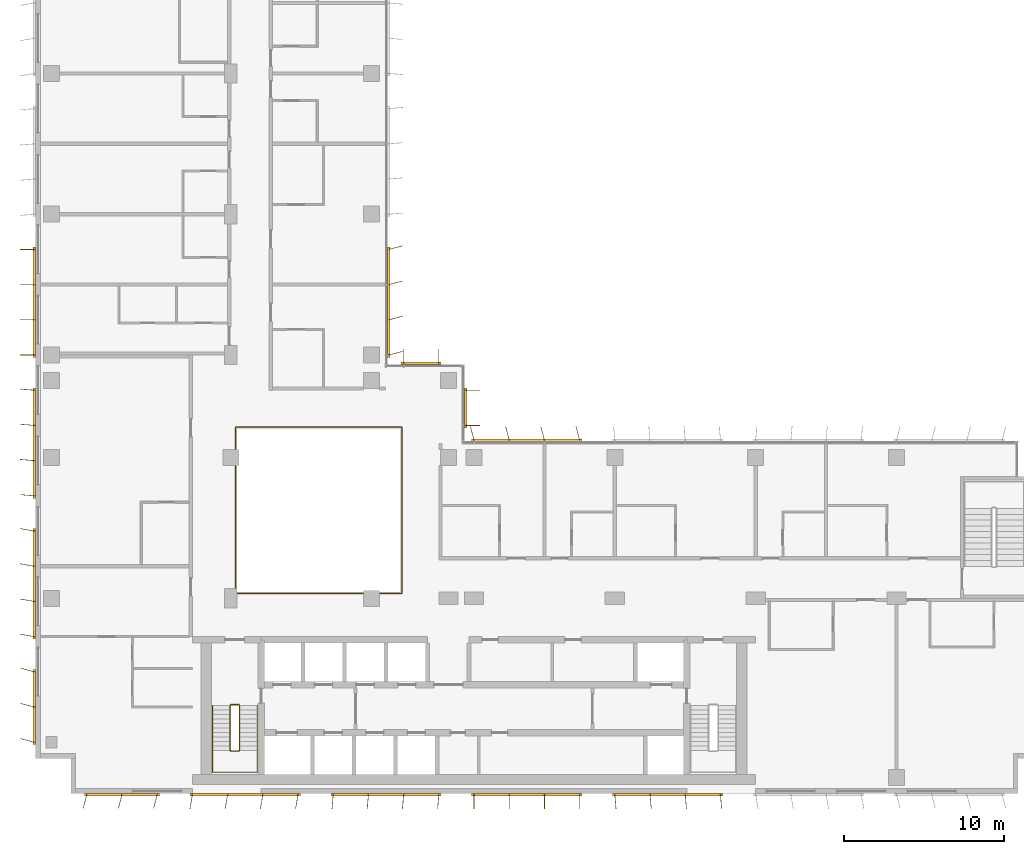
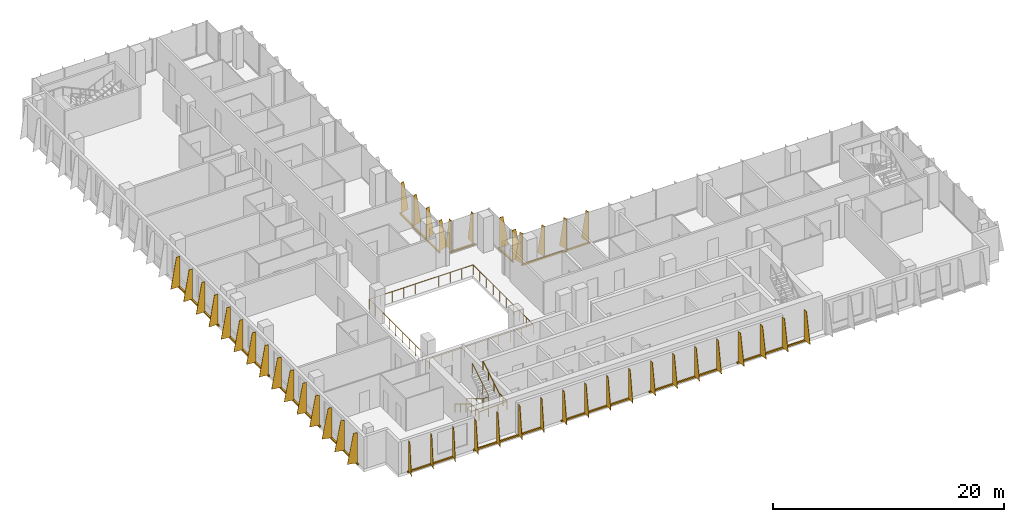
# One storey, part 19 of 21: 13 shading devices, 3 railings.
"""IFC4 building model written with IfcOpenShell, lengths in metres."""

from ifc_helpers import new_model, si_unit, direction, frame, origin, origin_2d, place, context, subcontext, project, spatial, polyline, rectangle, circle, outline, extrude, source, transform, mapped, material, layer, layer_set, type_object, element, save


model = new_model("IFC4")

# Units and contexts
model_context = context("Model", 3, precision=1e-05, world=origin(), true_north=direction((0.0, 1.0)))
body_context = subcontext(model_context, "Body", "Model", "MODEL_VIEW")
ifc_project = project(units=[si_unit("LENGTHUNIT", "METRE"), si_unit("AREAUNIT", "SQUARE_METRE"), si_unit("VOLUMEUNIT", "CUBIC_METRE"), si_unit("PLANEANGLEUNIT", "RADIAN"), si_unit("MASSUNIT", "GRAM", prefix="KILO")], contexts=[model_context])

# Site, building, storey
site_placement = place(None, origin())
site = spatial("IfcSite", under=ifc_project, at=site_placement, CompositionType="ELEMENT")
building_placement = place(site_placement, origin())
building = spatial("IfcBuilding", under=site, at=building_placement, Name="Kemantara Hotel Tower", CompositionType="ELEMENT")
storey_placement = place(building_placement, frame((0.0, 0.0, 160.5)))
storey = spatial("IfcBuildingStorey", under=building, at=storey_placement, Name="L39", CompositionType="ELEMENT", Elevation=160.5)

# Railings
ifc_material_1 = material(Name="Stainless steel and laminated glass balustrade", Category="steel")
railing_type_1 = type_object("IfcRailingType", Name="ATRIUM GUARD 1100", PredefinedType="GUARDRAIL", material=ifc_material_1)
railing_1_placement = place(storey_placement, frame((12.56005859375, 12.5, 0.0)))
element("IfcRailing", 1, at=railing_1_placement, inside=storey, type_object=railing_type_1, Name="ATRIUM GUARD L39", PredefinedType="GUARDRAIL", context=body_context, shape_type="SweptSolid", body=[
    extrude(circle(Radius=0.02490234375, at=origin_2d()), frame((0.0, 0.0, 1.0751953125), z_axis=(1.0, 0.0, 0.0), x_axis=(0.0, 1.0, 0.0)), (0.0, 0.0, 1.0), 10.33984375),
    extrude(circle(Radius=0.02490234375, at=origin_2d()), frame((10.33984375, 0.0, 1.0751953125), z_axis=(0.0, 1.0, 0.0), x_axis=(-1.0, 0.0, 0.0)), (0.0, 0.0, 1.0), 10.39990234375),
    extrude(circle(Radius=0.02490234375, at=origin_2d()), frame((10.33984375, 10.39990234375, 1.0751953125), z_axis=(-1.0, 0.0, 0.0), x_axis=(0.0, -1.0, 0.0)), (0.0, 0.0, 1.0), 10.39990234375),
    extrude(circle(Radius=0.02490234375, at=origin_2d()), frame((-0.06005859375, 10.39990234375, 1.0751953125), z_axis=(0.0, -1.0, 0.0), x_axis=(1.0, 0.0, 0.0)), (0.0, 0.0, 1.0), 10.39990234375),
    extrude(circle(Radius=0.02001953125, at=origin_2d()), origin(), (0.0, 0.0, 1.0), 1.050048828125),
    extrude(circle(Radius=0.02001953125, at=origin_2d()), frame((1.14892578125, 0.0, 0.0)), (0.0, 0.0, 1.0), 1.050048828125),
    extrude(circle(Radius=0.02001953125, at=origin_2d()), frame((2.2978515625, 0.0, 0.0)), (0.0, 0.0, 1.0), 1.050048828125),
    extrude(circle(Radius=0.02001953125, at=origin_2d()), frame((3.446533203125, 0.0, 0.0)), (0.0, 0.0, 1.0), 1.050048828125),
    extrude(circle(Radius=0.02001953125, at=origin_2d()), frame((4.595458984375, 0.0, 0.0)), (0.0, 0.0, 1.0), 1.050048828125),
    extrude(circle(Radius=0.02001953125, at=origin_2d()), frame((5.744384765625, 0.0, 0.0)), (0.0, 0.0, 1.0), 1.050048828125),
    extrude(circle(Radius=0.02001953125, at=origin_2d()), frame((6.893310546875, 0.0, 0.0)), (0.0, 0.0, 1.0), 1.050048828125),
    extrude(circle(Radius=0.02001953125, at=origin_2d()), frame((8.0419921875, 0.0, 0.0)), (0.0, 0.0, 1.0), 1.050048828125),
    extrude(circle(Radius=0.02001953125, at=origin_2d()), frame((9.19091796875, 0.0, 0.0)), (0.0, 0.0, 1.0), 1.050048828125),
    extrude(circle(Radius=0.02001953125, at=origin_2d()), frame((10.33984375, 0.0, 0.0)), (0.0, 0.0, 1.0), 1.050048828125),
    extrude(circle(Radius=0.02001953125, at=origin_2d()), frame((10.33984375, 1.155517578125, 0.0)), (0.0, 0.0, 1.0), 1.050048828125),
    extrude(circle(Radius=0.02001953125, at=origin_2d()), frame((10.33984375, 2.31103515625, 0.0)), (0.0, 0.0, 1.0), 1.050048828125),
    extrude(circle(Radius=0.02001953125, at=origin_2d()), frame((10.33984375, 3.466552734375, 0.0)), (0.0, 0.0, 1.0), 1.050048828125),
    extrude(circle(Radius=0.02001953125, at=origin_2d()), frame((10.33984375, 4.6220703125, 0.0)), (0.0, 0.0, 1.0), 1.050048828125),
    extrude(circle(Radius=0.02001953125, at=origin_2d()), frame((10.33984375, 5.77783203125, 0.0)), (0.0, 0.0, 1.0), 1.050048828125),
    extrude(circle(Radius=0.02001953125, at=origin_2d()), frame((10.33984375, 6.933349609375, 0.0)), (0.0, 0.0, 1.0), 1.050048828125),
    extrude(circle(Radius=0.02001953125, at=origin_2d()), frame((10.33984375, 8.0888671875, 0.0)), (0.0, 0.0, 1.0), 1.050048828125),
    extrude(circle(Radius=0.02001953125, at=origin_2d()), frame((10.33984375, 9.244384765625, 0.0)), (0.0, 0.0, 1.0), 1.050048828125),
    extrude(circle(Radius=0.02001953125, at=origin_2d()), frame((10.33984375, 10.39990234375, 0.0)), (0.0, 0.0, 1.0), 1.050048828125),
    extrude(circle(Radius=0.02001953125, at=origin_2d()), frame((9.184326171875, 10.39990234375, 0.0)), (0.0, 0.0, 1.0), 1.050048828125),
    extrude(circle(Radius=0.02001953125, at=origin_2d()), frame((8.02880859375, 10.39990234375, 0.0)), (0.0, 0.0, 1.0), 1.050048828125),
    extrude(circle(Radius=0.02001953125, at=origin_2d()), frame((6.873291015625, 10.39990234375, 0.0)), (0.0, 0.0, 1.0), 1.050048828125),
    extrude(circle(Radius=0.02001953125, at=origin_2d()), frame((5.7177734375, 10.39990234375, 0.0)), (0.0, 0.0, 1.0), 1.050048828125),
    extrude(circle(Radius=0.02001953125, at=origin_2d()), frame((4.56201171875, 10.39990234375, 0.0)), (0.0, 0.0, 1.0), 1.050048828125),
    extrude(circle(Radius=0.02001953125, at=origin_2d()), frame((3.406494140625, 10.39990234375, 0.0)), (0.0, 0.0, 1.0), 1.050048828125),
    extrude(circle(Radius=0.02001953125, at=origin_2d()), frame((2.2509765625, 10.39990234375, 0.0)), (0.0, 0.0, 1.0), 1.050048828125),
    extrude(circle(Radius=0.02001953125, at=origin_2d()), frame((1.095458984375, 10.39990234375, 0.0)), (0.0, 0.0, 1.0), 1.050048828125),
    extrude(circle(Radius=0.02001953125, at=origin_2d()), frame((-0.06005859375, 10.39990234375, 0.0)), (0.0, 0.0, 1.0), 1.050048828125),
    extrude(circle(Radius=0.02001953125, at=origin_2d()), frame((-0.06005859375, 9.244384765625, 0.0)), (0.0, 0.0, 1.0), 1.050048828125),
    extrude(circle(Radius=0.02001953125, at=origin_2d()), frame((-0.06005859375, 8.0888671875, 0.0)), (0.0, 0.0, 1.0), 1.050048828125),
    extrude(circle(Radius=0.02001953125, at=origin_2d()), frame((-0.06005859375, 6.933349609375, 0.0)), (0.0, 0.0, 1.0), 1.050048828125),
    extrude(circle(Radius=0.02001953125, at=origin_2d()), frame((-0.06005859375, 5.77783203125, 0.0)), (0.0, 0.0, 1.0), 1.050048828125),
    extrude(circle(Radius=0.02001953125, at=origin_2d()), frame((-0.06005859375, 4.6220703125, 0.0)), (0.0, 0.0, 1.0), 1.050048828125),
    extrude(circle(Radius=0.02001953125, at=origin_2d()), frame((-0.06005859375, 3.466552734375, 0.0)), (0.0, 0.0, 1.0), 1.050048828125),
    extrude(circle(Radius=0.02001953125, at=origin_2d()), frame((-0.06005859375, 2.31103515625, 0.0)), (0.0, 0.0, 1.0), 1.050048828125),
    extrude(circle(Radius=0.02001953125, at=origin_2d()), frame((-0.06005859375, 1.155517578125, 0.0)), (0.0, 0.0, 1.0), 1.050048828125),
    extrude(circle(Radius=0.02001953125, at=origin_2d()), frame((-0.06005859375, 0.0, 0.0)), (0.0, 0.0, 1.0), 1.050048828125),
])
ifc_material_2 = material(Name="Stainless steel balustrade", Category="steel")
railing_type_2 = type_object("IfcRailingType", Name="Stair guard 1100 mm", PredefinedType="GUARDRAIL", material=ifc_material_2)
railing_2_placement = place(storey_placement, frame((12.75, 5.5, 3.699951171875)))
element("IfcRailing", 2, at=railing_2_placement, inside=storey, type_object=railing_type_2, Name="L39 ST1 stair guard 1", PredefinedType="GUARDRAIL", context=body_context, shape_type="SweptSolid", body=[
    extrude(circle(Radius=0.02392578125, at=origin_2d()), frame((0.0, 0.0, 1.076171875), z_axis=(0.0, -0.857242210791, -0.514913383045), x_axis=(1.0, 0.0, 0.0)), (0.0, 0.0, 1.0), 3.266357421875),
    extrude(circle(Radius=0.02392578125, at=origin_2d()), frame((0.0, -2.800048828125, -0.60595703125), z_axis=(-0.274582412415, -0.274582412415, -0.921525364591), x_axis=(0.707106781187, -0.707106781187, 0.0)), (0.0, 0.0, 1.0), 0.182373046875),
    extrude(circle(Radius=0.02392578125, at=origin_2d()), frame((-0.050048828125, -2.85009765625, -0.77392578125), z_axis=(-1.0, 0.0, 0.0), x_axis=(0.0, -1.0, 0.0)), (0.0, 0.0, 1.0), 0.5),
    extrude(circle(Radius=0.02392578125, at=origin_2d()), frame((-0.550048828125, -2.85009765625, -0.77392578125), z_axis=(-0.707106781187, 0.707106781187, 0.0), x_axis=(-0.707106781187, -0.707106781187, 0.0)), (0.0, 0.0, 1.0), 0.07080078125),
    extrude(circle(Radius=0.02392578125, at=origin_2d()), frame((-0.60009765625, -2.800048828125, -0.77392578125), z_axis=(0.0, 0.857242210791, -0.514913383045), x_axis=(-1.0, 0.0, 0.0)), (0.0, 0.0, 1.0), 3.266357421875),
    extrude(circle(Radius=0.02392578125, at=origin_2d()), frame((-0.60009765625, 0.0, -2.45556640625), z_axis=(0.274243871929, 0.274243871929, -0.92172696468), x_axis=(-0.707106781187, 0.707106781187, 0.0)), (0.0, 0.0, 1.0), 0.1826171875),
    extrude(circle(Radius=0.02392578125, at=origin_2d()), frame((-0.550048828125, 0.050048828125, -2.6240234375), z_axis=(1.0, 0.0, 0.0), x_axis=(0.0, 1.0, 0.0)), (0.0, 0.0, 1.0), 0.5),
    extrude(circle(Radius=0.02099609375, at=origin_2d()), origin(), (0.0, 0.0, 1.0), 1.052001953125),
    extrude(circle(Radius=0.02099609375, at=origin_2d()), frame((0.0, -0.933349609375, -0.560546875)), (0.0, 0.0, 1.0), 1.052001953125),
    extrude(circle(Radius=0.02099609375, at=origin_2d()), frame((0.0, -1.86669921875, -1.121337890625)), (0.0, 0.0, 1.0), 1.052001953125),
    extrude(circle(Radius=0.02099609375, at=origin_2d()), frame((0.0, -2.800048828125, -1.681884765625)), (0.0, 0.0, 1.0), 1.052001953125),
    extrude(circle(Radius=0.02099609375, at=origin_2d()), frame((-0.050048828125, -2.85009765625, -1.849853515625)), (0.0, 0.0, 1.0), 1.052001953125),
    extrude(circle(Radius=0.02099609375, at=origin_2d()), frame((-0.550048828125, -2.85009765625, -1.849853515625)), (0.0, 0.0, 1.0), 1.052001953125),
    extrude(circle(Radius=0.02099609375, at=origin_2d()), frame((-0.60009765625, -2.800048828125, -1.849853515625)), (0.0, 0.0, 1.0), 1.052001953125),
    extrude(circle(Radius=0.02099609375, at=origin_2d()), frame((-0.60009765625, -1.86669921875, -2.410400390625)), (0.0, 0.0, 1.0), 1.052001953125),
    extrude(circle(Radius=0.02099609375, at=origin_2d()), frame((-0.60009765625, -0.933349609375, -2.97119140625)), (0.0, 0.0, 1.0), 1.052001953125),
    extrude(circle(Radius=0.02099609375, at=origin_2d()), frame((-0.60009765625, 0.0, -3.53173828125)), (0.0, 0.0, 1.0), 1.052001953125),
    extrude(circle(Radius=0.02099609375, at=origin_2d()), frame((-0.550048828125, 0.050048828125, -3.699951171875)), (0.0, 0.0, 1.0), 1.052001953125),
    extrude(circle(Radius=0.02099609375, at=origin_2d()), frame((-0.050048828125, 0.050048828125, -3.699951171875)), (0.0, 0.0, 1.0), 1.052001953125),
])
railing_type_3 = type_object("IfcRailingType", Name="Stair handrail 900 mm", PredefinedType="HANDRAIL", material=ifc_material_2)
railing_3_placement = place(storey_placement, frame((11.050048828125, 5.5, 0.168212890625)))
element("IfcRailing", 3, at=railing_3_placement, inside=storey, type_object=railing_type_3, Name="L39 ST1 stair handrail 1", PredefinedType="HANDRAIL", context=body_context, shape_type="SweptSolid", body=[
    extrude(circle(Radius=0.02392578125, at=origin_2d()), frame((0.0, 0.0, 0.8759765625), z_axis=(0.0, -0.857242210791, 0.514913383045), x_axis=(1.0, 0.0, 0.0)), (0.0, 0.0, 1.0), 3.266357421875),
    extrude(circle(Radius=0.02392578125, at=origin_2d()), frame((0.0, -2.800048828125, 2.5576171875), z_axis=(0.0, -1.0, 0.0), x_axis=(1.0, 0.0, 0.0)), (0.0, 0.0, 1.0), 1.3798828125),
    extrude(circle(Radius=0.02392578125, at=origin_2d()), frame((0.0, -4.179931640625, 2.5576171875), z_axis=(0.998205573864, 0.0, 0.059880149518), x_axis=(0.0, 1.0, 0.0)), (0.0, 0.0, 1.0), 2.80517578125),
    extrude(circle(Radius=0.02392578125, at=origin_2d()), frame((2.800048828125, -4.179931640625, 2.7255859375), z_axis=(0.0, 1.0, 0.0), x_axis=(-1.0, 0.0, 0.0)), (0.0, 0.0, 1.0), 1.3798828125),
    extrude(circle(Radius=0.02392578125, at=origin_2d()), frame((2.800048828125, -2.800048828125, 2.7255859375), z_axis=(0.0, 0.857242210791, 0.514913383045), x_axis=(-1.0, 0.0, 0.0)), (0.0, 0.0, 1.0), 3.266357421875),
    extrude(circle(Radius=0.02099609375, at=origin_2d()), origin(), (0.0, 0.0, 1.0), 0.851806640625),
    extrude(circle(Radius=0.02099609375, at=origin_2d()), frame((0.0, -0.933349609375, 0.560546875)), (0.0, 0.0, 1.0), 0.851806640625),
    extrude(circle(Radius=0.02099609375, at=origin_2d()), frame((0.0, -1.86669921875, 1.121337890625)), (0.0, 0.0, 1.0), 0.851806640625),
    extrude(circle(Radius=0.02099609375, at=origin_2d()), frame((0.0, -2.800048828125, 1.681884765625)), (0.0, 0.0, 1.0), 0.851806640625),
    extrude(circle(Radius=0.02099609375, at=origin_2d()), frame((0.0, -3.489990234375, 1.681884765625)), (0.0, 0.0, 1.0), 0.851806640625),
    extrude(circle(Radius=0.02099609375, at=origin_2d()), frame((0.0, -4.179931640625, 1.681884765625)), (0.0, 0.0, 1.0), 0.851806640625),
    extrude(circle(Radius=0.02099609375, at=origin_2d()), frame((0.933349609375, -4.179931640625, 1.73779296875)), (0.0, 0.0, 1.0), 0.851806640625),
    extrude(circle(Radius=0.02099609375, at=origin_2d()), frame((1.86669921875, -4.179931640625, 1.7939453125)), (0.0, 0.0, 1.0), 0.851806640625),
    extrude(circle(Radius=0.02099609375, at=origin_2d()), frame((2.800048828125, -4.179931640625, 1.849853515625)), (0.0, 0.0, 1.0), 0.851806640625),
    extrude(circle(Radius=0.02099609375, at=origin_2d()), frame((2.800048828125, -3.489990234375, 1.849853515625)), (0.0, 0.0, 1.0), 0.851806640625),
    extrude(circle(Radius=0.02099609375, at=origin_2d()), frame((2.800048828125, -2.800048828125, 1.849853515625)), (0.0, 0.0, 1.0), 0.851806640625),
    extrude(circle(Radius=0.02099609375, at=origin_2d()), frame((2.800048828125, -1.86669921875, 2.410400390625)), (0.0, 0.0, 1.0), 0.851806640625),
    extrude(circle(Radius=0.02099609375, at=origin_2d()), frame((2.800048828125, -0.933349609375, 2.97119140625)), (0.0, 0.0, 1.0), 0.851806640625),
    extrude(circle(Radius=0.02099609375, at=origin_2d()), frame((2.800048828125, 0.0, 3.53173828125)), (0.0, 0.0, 1.0), 0.851806640625),
])

# Shading devices
ifc_material_3 = material(Name="Perforated aluminium plate 4 mm bronze anodised", Category="aluminium")
ifc_layer_1 = layer(ifc_material_3, 0.0400390625)
ifc_layer_set_1 = layer_set([ifc_layer_1], Name="Perforated aluminium plate 4 mm bronze anodised")
shading_device_type_1 = type_object("IfcShadingDeviceType", Name="SCREEN FIN CASSETTE, 3 BLADES AT -15.0 DEG, 3200 HIGH", PredefinedType="USERDEFINED", material=ifc_layer_set_1)
shared_shape_1 = source(origin(), body_context, "Body", "SweptSolid", [
    extrude(rectangle(XDim=4.699951171875, YDim=0.14990234375, at=origin_2d()), frame((2.199951171875, -0.074951171875, -0.14990234375), z_axis=(0.0, 0.0, 1.0), x_axis=(1.0, 0.0, 0.0)), (0.0, 0.0, 1.0), 0.14990234375),
    extrude(outline(polyline([(0.0, 0.0), (0.89990234375, 0.0), (0.35009765625, 3.199951171875), (0.0, 3.199951171875), (0.0, 0.0)])), frame((0.019287109375, -0.080078125, 0.0), z_axis=(-0.966437683387, 0.256901156343, 0.0), x_axis=(-0.256901156343, -0.966437683387, 0.0)), (0.0, 0.0, 1.0), 0.039794921875),
    extrude(outline(polyline([(0.0, 0.0), (0.89990234375, 0.0), (0.35009765625, 3.199951171875), (0.0, 3.199951171875), (0.0, 0.0)])), frame((2.21923828125, -0.080078125, 0.0), z_axis=(-0.966437683387, 0.256901156343, 0.0), x_axis=(-0.256901156343, -0.966437683387, 0.0)), (0.0, 0.0, 1.0), 0.039794921875),
    extrude(outline(polyline([(0.0, 0.0), (0.89990234375, 0.0), (0.35009765625, 3.199951171875), (0.0, 3.199951171875), (0.0, 0.0)])), frame((4.41943359375, -0.080078125, 0.0), z_axis=(-0.966837822169, 0.255391122837, 0.0), x_axis=(-0.255391122837, -0.966837822169, 0.0)), (0.0, 0.0, 1.0), 0.0400390625),
])
for number, where, z_axis, x_axis, name in (
    (4, (0.0, 7.60009765625, 0.10009765625), (0.0, 0.0, 1.0), (0.0, -1.0, 0.0), "SCREEN FIN CASSETTE L39 T3-R05-7"),
    (5, (3.199951171875, 0.0, 0.10009765625), (0.0, 0.0, 1.0), (1.0, 0.0, 0.0), "SCREEN FIN CASSETTE L39 T3-R08-1"),
):
    element("IfcShadingDevice", number, at=place(storey_placement, frame(where, z_axis=z_axis, x_axis=x_axis)), inside=storey, type_object=shading_device_type_1, Name=name, ObjectType="SCREEN FIN", PredefinedType="USERDEFINED", context=body_context, shape_type="MappedRepresentation", body=[
        mapped(shared_shape_1, transform((0.0, 0.0, 0.0))),
    ])
ifc_layer_2 = layer(ifc_material_3, 0.0400390625)
ifc_layer_set_2 = layer_set([ifc_layer_2], Name="Perforated aluminium plate 4 mm bronze anodised")
shading_device_type_2 = type_object("IfcShadingDeviceType", Name="SCREEN FIN CASSETTE, 4 BLADES AT -10.0 DEG, 3200 HIGH", PredefinedType="USERDEFINED", material=ifc_layer_set_2)
shared_shape_2 = source(origin(), body_context, "Body", "SweptSolid", [
    extrude(rectangle(XDim=6.89990234375, YDim=0.14990234375, at=origin_2d()), frame((3.300048828125, -0.074951171875, -0.14990234375), z_axis=(0.0, 0.0, 1.0), x_axis=(1.0, 0.0, 0.0)), (0.0, 0.0, 1.0), 0.14990234375),
    extrude(outline(polyline([(0.0, 0.0), (0.89990234375, 0.0), (0.35009765625, 3.199951171875), (0.0, 3.199951171875), (0.0, 0.0)])), frame((0.019775390625, -0.078369140625, 0.0), z_axis=(-0.985389793052, 0.170314285219, 0.0), x_axis=(-0.170314285219, -0.985389793052, 0.0)), (0.0, 0.0, 1.0), 0.0400390625),
    extrude(outline(polyline([(0.0, 0.0), (0.89990234375, 0.0), (0.35009765625, 3.199951171875), (0.0, 3.199951171875), (0.0, 0.0)])), frame((2.2197265625, -0.078369140625, 0.0), z_axis=(-0.98521175482, 0.171341174751, 0.0), x_axis=(-0.171341174751, -0.98521175482, 0.0)), (0.0, 0.0, 1.0), 0.039794921875),
    extrude(outline(polyline([(0.0, 0.0), (0.89990234375, 0.0), (0.35009765625, 3.199951171875), (0.0, 3.199951171875), (0.0, 0.0)])), frame((4.419677734375, -0.078369140625, 0.0), z_axis=(-0.98521175482, 0.171341174751, 0.0), x_axis=(-0.171341174751, -0.98521175482, 0.0)), (0.0, 0.0, 1.0), 0.039794921875),
    extrude(outline(polyline([(0.0, 0.0), (0.89990234375, 0.0), (0.35009765625, 3.199951171875), (0.0, 3.199951171875), (0.0, 0.0)])), frame((6.61962890625, -0.078369140625, 0.0), z_axis=(-0.98521175482, 0.171341174751, 0.0), x_axis=(-0.171341174751, -0.98521175482, 0.0)), (0.0, 0.0, 1.0), 0.039794921875),
])
for number, where, z_axis, x_axis, name in (
    (6, (0.0, 16.39990234375, 0.10009765625), (0.0, 0.0, 1.0), (0.0, -1.0, 0.0), "SCREEN FIN CASSETTE L39 T3-R05-6"),
    (7, (9.800048828125, 0.0, 0.10009765625), (0.0, 0.0, 1.0), (1.0, 0.0, 0.0), "SCREEN FIN CASSETTE L39 T3-R08-2"),
):
    element("IfcShadingDevice", number, at=place(storey_placement, frame(where, z_axis=z_axis, x_axis=x_axis)), inside=storey, type_object=shading_device_type_2, Name=name, ObjectType="SCREEN FIN", PredefinedType="USERDEFINED", context=body_context, shape_type="MappedRepresentation", body=[
        mapped(shared_shape_2, transform((0.0, 0.0, 0.0))),
    ])
ifc_layer_3 = layer(ifc_material_3, 0.0400390625)
ifc_layer_set_3 = layer_set([ifc_layer_3], Name="Perforated aluminium plate 4 mm bronze anodised")
shading_device_type_3 = type_object("IfcShadingDeviceType", Name="SCREEN FIN CASSETTE, 4 BLADES AT -5.0 DEG, 3200 HIGH", PredefinedType="USERDEFINED", material=ifc_layer_set_3)
shared_shape_3 = source(origin(), body_context, "Body", "SweptSolid", [
    extrude(rectangle(XDim=6.89990234375, YDim=0.14990234375, at=origin_2d()), frame((3.300048828125, -0.074951171875, -0.14990234375), z_axis=(0.0, 0.0, 1.0), x_axis=(1.0, 0.0, 0.0)), (0.0, 0.0, 1.0), 0.14990234375),
    extrude(outline(polyline([(0.0, 0.0), (0.89990234375, 0.0), (0.35009765625, 3.199951171875), (0.0, 3.199951171875), (0.0, 0.0)])), frame((0.02001953125, -0.07666015625, 0.0), z_axis=(-0.996376129781, 0.085056498884, 0.0), x_axis=(-0.085056498884, -0.996376129781, 0.0)), (0.0, 0.0, 1.0), 0.040283203125),
    extrude(outline(polyline([(0.0, 0.0), (0.89990234375, 0.0), (0.35009765625, 3.199951171875), (0.0, 3.199951171875), (0.0, 0.0)])), frame((2.219970703125, -0.07666015625, 0.0), z_axis=(-0.996331773833, 0.085574508182, 0.0), x_axis=(-0.085574508182, -0.996331773833, 0.0)), (0.0, 0.0, 1.0), 0.0400390625),
    extrude(outline(polyline([(0.0, 0.0), (0.89990234375, 0.0), (0.35009765625, 3.199951171875), (0.0, 3.199951171875), (0.0, 0.0)])), frame((4.419921875, -0.07666015625, 0.0), z_axis=(-0.996331773833, 0.085574508182, 0.0), x_axis=(-0.085574508182, -0.996331773833, 0.0)), (0.0, 0.0, 1.0), 0.0400390625),
    extrude(outline(polyline([(0.0, 0.0), (0.89990234375, 0.0), (0.35009765625, 3.199951171875), (0.0, 3.199951171875), (0.0, 0.0)])), frame((6.619873046875, -0.07666015625, 0.0), z_axis=(-0.996331773833, 0.085574508182, 0.0), x_axis=(-0.085574508182, -0.996331773833, 0.0)), (0.0, 0.0, 1.0), 0.0400390625),
])
for number, where, z_axis, x_axis, name in (
    (8, (0.0, 25.199951171875, 0.10009765625), (0.0, 0.0, 1.0), (0.0, -1.0, 0.0), "SCREEN FIN CASSETTE L39 T3-R05-5"),
    (9, (18.60009765625, 0.0, 0.10009765625), (0.0, 0.0, 1.0), (1.0, 0.0, 0.0), "SCREEN FIN CASSETTE L39 T3-R08-3"),
):
    element("IfcShadingDevice", number, at=place(storey_placement, frame(where, z_axis=z_axis, x_axis=x_axis)), inside=storey, type_object=shading_device_type_3, Name=name, ObjectType="SCREEN FIN", PredefinedType="USERDEFINED", context=body_context, shape_type="MappedRepresentation", body=[
        mapped(shared_shape_3, transform((0.0, 0.0, 0.0))),
    ])
ifc_layer_4 = layer(ifc_material_3, 0.0400390625)
ifc_layer_set_4 = layer_set([ifc_layer_4], Name="Perforated aluminium plate 4 mm bronze anodised")
shading_device_type_4 = type_object("IfcShadingDeviceType", Name="SCREEN FIN CASSETTE, 4 BLADES AT +0.0 DEG, 3200 HIGH", PredefinedType="USERDEFINED", material=ifc_layer_set_4)
shared_shape_4 = source(origin(), body_context, "Body", "SweptSolid", [
    extrude(rectangle(XDim=6.89990234375, YDim=0.14990234375, at=origin_2d()), frame((3.300048828125, -0.074951171875, -0.14990234375), z_axis=(0.0, 0.0, 1.0), x_axis=(1.0, 0.0, 0.0)), (0.0, 0.0, 1.0), 0.14990234375),
    extrude(outline(polyline([(0.0, 0.0), (0.89990234375, 0.0), (0.35009765625, 3.199951171875), (0.0, 3.199951171875), (0.0, 0.0)])), frame((0.02001953125, -0.074951171875, 0.0), z_axis=(-1.0, 0.0, 0.0), x_axis=(0.0, -1.0, 0.0)), (0.0, 0.0, 1.0), 0.0400390625),
    extrude(outline(polyline([(0.0, 0.0), (0.89990234375, 0.0), (0.35009765625, 3.199951171875), (0.0, 3.199951171875), (0.0, 0.0)])), frame((2.219970703125, -0.074951171875, 0.0), z_axis=(-1.0, 0.0, 0.0), x_axis=(0.0, -1.0, 0.0)), (0.0, 0.0, 1.0), 0.0400390625),
    extrude(outline(polyline([(0.0, 0.0), (0.89990234375, 0.0), (0.35009765625, 3.199951171875), (0.0, 3.199951171875), (0.0, 0.0)])), frame((4.419921875, -0.074951171875, 0.0), z_axis=(-1.0, 0.0, 0.0), x_axis=(0.0, -1.0, 0.0)), (0.0, 0.0, 1.0), 0.0400390625),
    extrude(outline(polyline([(0.0, 0.0), (0.89990234375, 0.0), (0.35009765625, 3.199951171875), (0.0, 3.199951171875), (0.0, 0.0)])), frame((6.6201171875, -0.074951171875, 0.0), z_axis=(-1.0, 0.0, 0.0), x_axis=(0.0, -1.0, 0.0)), (0.0, 0.0, 1.0), 0.0400390625),
])
for number, where, z_axis, x_axis, name in (
    (10, (0.0, 34.0, 0.10009765625), (0.0, 0.0, 1.0), (0.0, -1.0, 0.0), "SCREEN FIN CASSETTE L39 T3-R05-4"),
    (11, (27.39990234375, 0.0, 0.10009765625), (0.0, 0.0, 1.0), (1.0, 0.0, 0.0), "SCREEN FIN CASSETTE L39 T3-R08-4"),
):
    element("IfcShadingDevice", number, at=place(storey_placement, frame(where, z_axis=z_axis, x_axis=x_axis)), inside=storey, type_object=shading_device_type_4, Name=name, ObjectType="SCREEN FIN", PredefinedType="USERDEFINED", context=body_context, shape_type="MappedRepresentation", body=[
        mapped(shared_shape_4, transform((0.0, 0.0, 0.0))),
    ])
ifc_layer_5 = layer(ifc_material_3, 0.0400390625)
ifc_layer_set_5 = layer_set([ifc_layer_5], Name="Perforated aluminium plate 4 mm bronze anodised")
shading_device_type_5 = type_object("IfcShadingDeviceType", Name="SCREEN FIN CASSETTE, 4 BLADES AT +5.0 DEG, 3200 HIGH", PredefinedType="USERDEFINED", material=ifc_layer_set_5)
shared_shape_5 = source(origin(), body_context, "Body", "SweptSolid", [
    extrude(rectangle(XDim=6.89990234375, YDim=0.14990234375, at=origin_2d()), frame((3.300048828125, -0.074951171875, -0.14990234375), z_axis=(0.0, 0.0, 1.0), x_axis=(1.0, 0.0, 0.0)), (0.0, 0.0, 1.0), 0.14990234375),
    extrude(outline(polyline([(0.0, 0.0), (0.89990234375, 0.0), (0.35009765625, 3.199951171875), (0.0, 3.199951171875), (0.0, 0.0)])), frame((0.02001953125, -0.0732421875, 0.0), z_axis=(-0.996376129781, -0.085056498884, 0.0), x_axis=(0.085056498884, -0.996376129781, 0.0)), (0.0, 0.0, 1.0), 0.040283203125),
    extrude(outline(polyline([(0.0, 0.0), (0.89990234375, 0.0), (0.35009765625, 3.199951171875), (0.0, 3.199951171875), (0.0, 0.0)])), frame((2.219970703125, -0.0732421875, 0.0), z_axis=(-0.996331773833, -0.085574508182, 0.0), x_axis=(0.085574508182, -0.996331773833, 0.0)), (0.0, 0.0, 1.0), 0.0400390625),
    extrude(outline(polyline([(0.0, 0.0), (0.89990234375, 0.0), (0.35009765625, 3.199951171875), (0.0, 3.199951171875), (0.0, 0.0)])), frame((4.419921875, -0.0732421875, 0.0), z_axis=(-0.996331773833, -0.085574508182, 0.0), x_axis=(0.085574508182, -0.996331773833, 0.0)), (0.0, 0.0, 1.0), 0.0400390625),
    extrude(outline(polyline([(0.0, 0.0), (0.89990234375, 0.0), (0.35009765625, 3.199951171875), (0.0, 3.199951171875), (0.0, 0.0)])), frame((6.619873046875, -0.0732421875, 0.0), z_axis=(-0.996331773833, -0.085574508182, 0.0), x_axis=(0.085574508182, -0.996331773833, 0.0)), (0.0, 0.0, 1.0), 0.0400390625),
])
shading_device_placement = place(storey_placement, frame((36.199951171875, 0.0, 0.10009765625), z_axis=(0.0, 0.0, 1.0), x_axis=(1.0, 0.0, 0.0)))
element("IfcShadingDevice", 12, at=shading_device_placement, inside=storey, type_object=shading_device_type_5, Name="SCREEN FIN CASSETTE L39 T3-R08-5", ObjectType="SCREEN FIN", PredefinedType="USERDEFINED", context=body_context, shape_type="MappedRepresentation", body=[
    mapped(shared_shape_5, transform((0.0, 0.0, 0.0))),
])
ifc_layer_6 = layer(ifc_material_3, 0.0400390625)
ifc_layer_set_6 = layer_set([ifc_layer_6], Name="Perforated aluminium plate 4 mm bronze anodised")
shading_device_type_6 = type_object("IfcShadingDeviceType", Name="SCREEN FIN CASSETTE, 4 BLADES AT +15.0 DEG, 3200 HIGH", PredefinedType="USERDEFINED", material=ifc_layer_set_6)
shared_shape_6 = source(origin(), body_context, "Body", "SweptSolid", [
    extrude(rectangle(XDim=6.89990234375, YDim=0.14990234375, at=origin_2d()), frame((3.300048828125, -0.074951171875, -0.14990234375), z_axis=(0.0, 0.0, 1.0), x_axis=(1.0, 0.0, 0.0)), (0.0, 0.0, 1.0), 0.14990234375),
    extrude(outline(polyline([(0.0, 0.0), (0.89990234375, 0.0), (0.35009765625, 3.199951171875), (0.0, 3.199951171875), (0.0, 0.0)])), frame((0.019287109375, -0.06982421875, 0.0), z_axis=(-0.966437683387, -0.256901156343, 0.0), x_axis=(0.256901156343, -0.966437683387, 0.0)), (0.0, 0.0, 1.0), 0.039794921875),
    extrude(outline(polyline([(0.0, 0.0), (0.89990234375, 0.0), (0.35009765625, 3.199951171875), (0.0, 3.199951171875), (0.0, 0.0)])), frame((2.21923828125, -0.06982421875, 0.0), z_axis=(-0.966437683387, -0.256901156343, 0.0), x_axis=(0.256901156343, -0.966437683387, 0.0)), (0.0, 0.0, 1.0), 0.039794921875),
    extrude(outline(polyline([(0.0, 0.0), (0.89990234375, 0.0), (0.35009765625, 3.199951171875), (0.0, 3.199951171875), (0.0, 0.0)])), frame((4.41943359375, -0.06982421875, 0.0), z_axis=(-0.966837822169, -0.255391122837, 0.0), x_axis=(0.255391122837, -0.966837822169, 0.0)), (0.0, 0.0, 1.0), 0.0400390625),
    extrude(outline(polyline([(0.0, 0.0), (0.89990234375, 0.0), (0.35009765625, 3.199951171875), (0.0, 3.199951171875), (0.0, 0.0)])), frame((6.619384765625, -0.06982421875, 0.0), z_axis=(-0.966837822169, -0.255391122837, 0.0), x_axis=(0.255391122837, -0.966837822169, 0.0)), (0.0, 0.0, 1.0), 0.0400390625),
])
for number, where, z_axis, x_axis, name in (
    (13, (34.0, 22.0, 0.10009765625), (0.0, 0.0, 1.0), (-1.0, 0.0, 0.0), "SCREEN FIN CASSETTE L39 T3-R14-4"),
    (14, (22.0, 27.39990234375, 0.10009765625), (0.0, 0.0, 1.0), (0.0, 1.0, 0.0), "SCREEN FIN CASSETTE L39 T3-R17-1"),
):
    element("IfcShadingDevice", number, at=place(storey_placement, frame(where, z_axis=z_axis, x_axis=x_axis)), inside=storey, type_object=shading_device_type_6, Name=name, ObjectType="SCREEN FIN", PredefinedType="USERDEFINED", context=body_context, shape_type="MappedRepresentation", body=[
        mapped(shared_shape_6, transform((0.0, 0.0, 0.0))),
    ])
ifc_layer_7 = layer(ifc_material_3, 0.0400390625)
ifc_layer_set_7 = layer_set([ifc_layer_7], Name="Perforated aluminium plate 4 mm bronze anodised")
shading_device_type_7 = type_object("IfcShadingDeviceType", Name="SCREEN FIN CASSETTE, 2 BLADES AT +0.0 DEG, 3200 HIGH", PredefinedType="USERDEFINED", material=ifc_layer_set_7)
shared_shape_7 = source(origin(), body_context, "Body", "SweptSolid", [
    extrude(rectangle(XDim=2.5, YDim=0.14990234375, at=origin_2d()), frame((1.10009765625, -0.074951171875, -0.14990234375), z_axis=(0.0, 0.0, 1.0), x_axis=(1.0, 0.0, 0.0)), (0.0, 0.0, 1.0), 0.14990234375),
    extrude(outline(polyline([(0.0, 0.0), (0.89990234375, 0.0), (0.35009765625, 3.199951171875), (0.0, 3.199951171875), (0.0, 0.0)])), frame((0.02001953125, -0.074951171875, 0.0), z_axis=(-1.0, 0.0, 0.0), x_axis=(0.0, -1.0, 0.0)), (0.0, 0.0, 1.0), 0.0400390625),
    extrude(outline(polyline([(0.0, 0.0), (0.89990234375, 0.0), (0.35009765625, 3.199951171875), (0.0, 3.199951171875), (0.0, 0.0)])), frame((2.219970703125, -0.074951171875, 0.0), z_axis=(-1.0, 0.0, 0.0), x_axis=(0.0, -1.0, 0.0)), (0.0, 0.0, 1.0), 0.0400390625),
])
for number, where, z_axis, x_axis, name in (
    (15, (26.800048828125, 23.0, 0.10009765625), (0.0, 0.0, 1.0), (0.0, 1.0, 0.0), "SCREEN FIN CASSETTE L39 T3-R15-1"),
    (16, (25.199951171875, 26.800048828125, 0.10009765625), (0.0, 0.0, 1.0), (-1.0, 0.0, 0.0), "SCREEN FIN CASSETTE L39 T3-R16-1"),
):
    element("IfcShadingDevice", number, at=place(storey_placement, frame(where, z_axis=z_axis, x_axis=x_axis)), inside=storey, type_object=shading_device_type_7, Name=name, ObjectType="SCREEN FIN", PredefinedType="USERDEFINED", context=body_context, shape_type="MappedRepresentation", body=[
        mapped(shared_shape_7, transform((0.0, 0.0, 0.0))),
    ])

save(model, "model.ifc")
